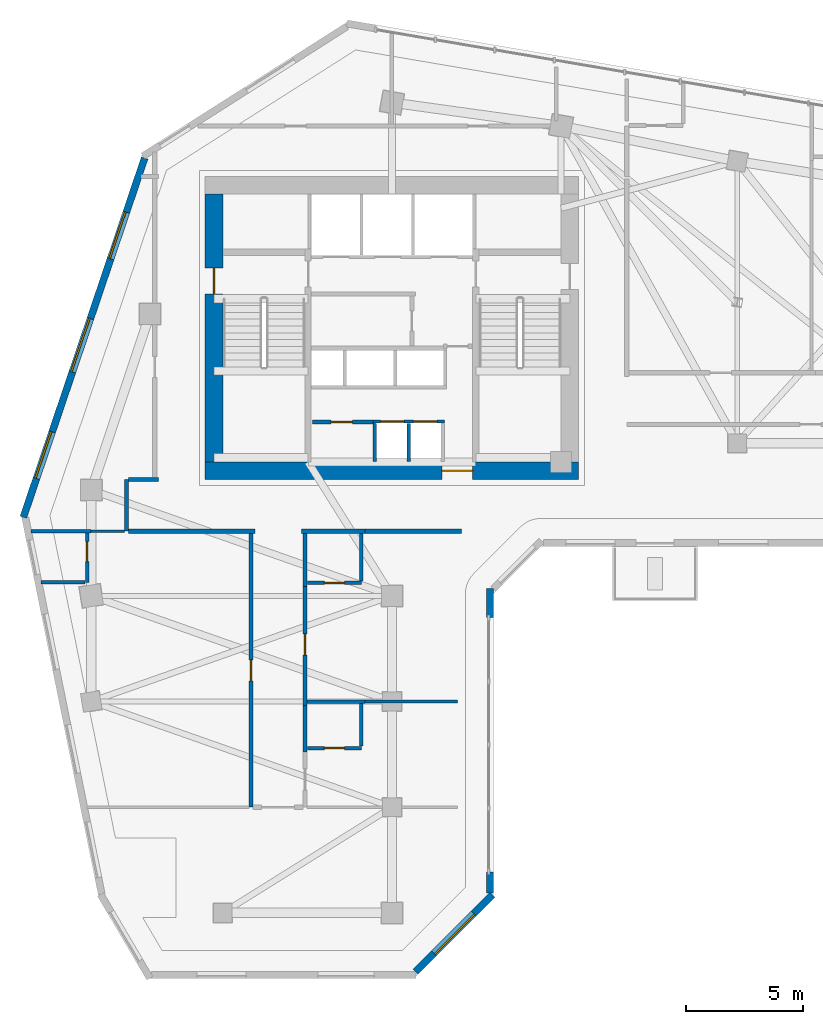
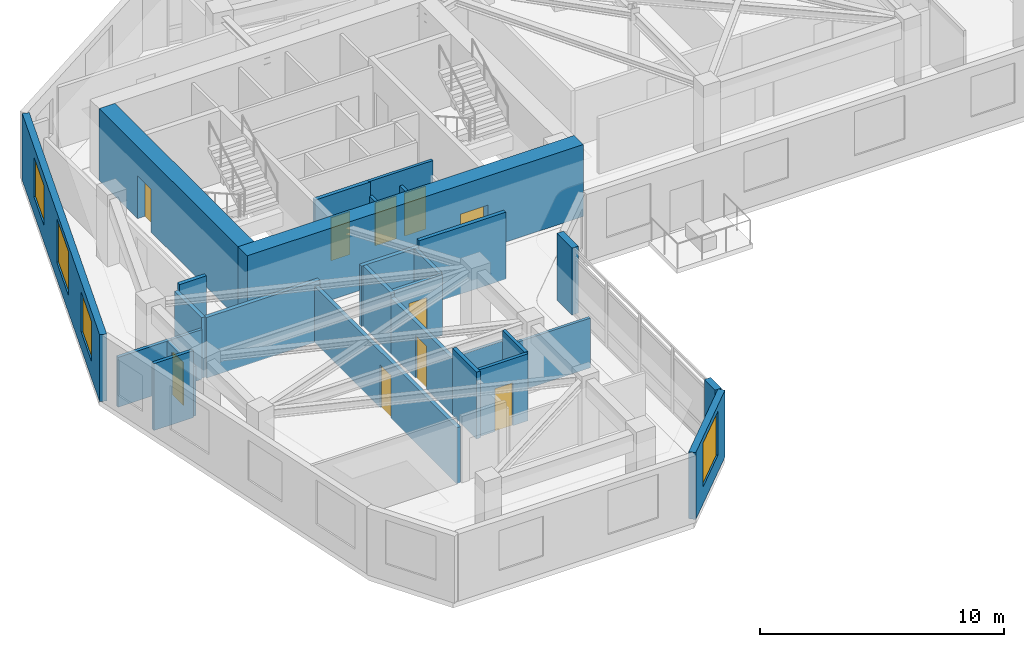
# One storey, part 5 of 11: 29 walls, 10 doors, 4 windows, 14 openings.
"""IFC4 building model written with IfcOpenShell, lengths in metres."""

from ifc_helpers import new_model, si_unit, direction, frame, frame_2d, origin, place, context, subcontext, project, spatial, rectangle, extrude, source, transform, mapped, material, layer, layer_set, type_object, element, fill, save


model = new_model("IFC4")

# Units and contexts
model_context = context("Model", 3, precision=1e-05, world=origin(), true_north=direction((0.0, 1.0)))
body_context = subcontext(model_context, "Body", "Model", "MODEL_VIEW")
ifc_project = project(units=[si_unit("LENGTHUNIT", "METRE"), si_unit("AREAUNIT", "SQUARE_METRE"), si_unit("VOLUMEUNIT", "CUBIC_METRE"), si_unit("PLANEANGLEUNIT", "RADIAN"), si_unit("MASSUNIT", "GRAM", prefix="KILO")], contexts=[model_context])

# Site, building, storey
site_placement = place(None, origin())
site = spatial("IfcSite", under=ifc_project, at=site_placement, CompositionType="ELEMENT")
building_placement = place(site_placement, origin())
building = spatial("IfcBuilding", under=site, at=building_placement, Name="Calvemar Wedge Station Tower", CompositionType="ELEMENT")
storey_placement = place(building_placement, frame((0.0, 0.0, 143.0)))
storey = spatial("IfcBuildingStorey", under=building, at=storey_placement, Name="L35", CompositionType="ELEMENT", Elevation=143.0)

# Wall, opening, door
ifc_material_1 = material(Name="Concrete C70", Category="concrete")
ifc_layer_1 = layer(ifc_material_1, 0.75)
ifc_layer_set_1 = layer_set([ifc_layer_1], Name="Concrete C70")
wall_type_1 = type_object("IfcWallType", Name="SW-CORE-750", PredefinedType="SHEAR", material=ifc_layer_set_1)
wall_1_placement = place(storey_placement, frame((15.85009765625, 33.824951171875, 0.0), z_axis=(0.0, 0.0, 1.0), x_axis=(1.0, 0.0, 0.0)))
wall_1 = element("IfcWall", 1, at=wall_1_placement, inside=storey, type_object=wall_type_1, Name="Storey L35 Core Shear Wall S", PredefinedType="SHEAR", context=body_context, shape_type="SweptSolid", body=[
    extrude(rectangle(XDim=15.89990234375, YDim=0.75, at=frame_2d((7.949951171875, 0.0))), origin(), (0.0, 0.0, 1.0), 3.60009765625),
])
shared_shape_1 = source(origin(), body_context, "Body", "SweptSolid", [
    extrude(rectangle(XDim=1.300048828125, YDim=2.14990234375, at=frame_2d((0.64990234375, 1.074951171875))), frame((0.0, 0.385009765625, 0.0), z_axis=(0.0, -1.0, 0.0), x_axis=(1.0, 0.0, 0.0)), (0.0, 0.0, 1.0), 0.77001953125),
])
opening_1_placement = place(wall_1_placement, frame((10.080078125, 0.0, 0.0)))
opening_1 = element("IfcOpeningElement", 2, at=opening_1_placement, cuts=wall_1, Name="Opening DD-130", PredefinedType="OPENING", context=body_context, shape_type="MappedRepresentation", body=[
    mapped(shared_shape_1, transform((0.0, 0.0, 0.0), scale=1.0)),
])
ifc_material_2 = material(Name="Double-leaf lift lobby fire door EI 60")
door_type_1 = type_object("IfcDoorType", Name="DR-DBL-1300", OperationType="DOUBLE_DOOR_SINGLE_SWING", PredefinedType="DOOR", material=ifc_material_2)
shared_shape_2 = source(origin(), body_context, "Body", "SweptSolid", [
    extrude(rectangle(XDim=1.300048828125, YDim=2.14990234375, at=frame_2d((0.64990234375, 1.074951171875))), frame((0.0, 0.02490234375, 0.0), z_axis=(0.0, -1.0, 0.0), x_axis=(1.0, 0.0, 0.0)), (0.0, 0.0, 1.0), 0.050048828125),
])
door_1_placement = place(opening_1_placement, origin())
door_1 = element("IfcDoor", 3, at=door_1_placement, inside=storey, type_object=door_type_1, Name="L35 Passenger Lift Lobby Door", OperationType="DOUBLE_DOOR_SINGLE_SWING", OverallHeight=2.14990234375, OverallWidth=1.300048828125, PredefinedType="DOOR", context=body_context, shape_type="MappedRepresentation", body=[
    mapped(shared_shape_2, transform((0.0, 0.0, 0.0), scale=1.0)),
])
fill(opening_1, door_1)

wall_2_placement = place(storey_placement, frame((16.22509765625, 34.199951171875, 0.0), z_axis=(0.0, 0.0, 1.0), x_axis=(0.0, 1.0, 0.0)))
wall_2 = element("IfcWall", 4, at=wall_2_placement, inside=storey, type_object=wall_type_1, Name="Storey L35 Core Shear Wall W", PredefinedType="SHEAR", context=body_context, shape_type="SweptSolid", body=[
    extrude(rectangle(XDim=11.400146484375, YDim=0.75, at=frame_2d((5.7001953125, 0.0))), origin(), (0.0, 0.0, 1.0), 3.60009765625),
])
shared_shape_3 = source(origin(), body_context, "Body", "SweptSolid", [
    extrude(rectangle(XDim=1.10009765625, YDim=2.14990234375, at=frame_2d((0.550048828125, 1.074951171875))), frame((0.0, 0.385009765625, 0.0), z_axis=(0.0, -1.0, 0.0), x_axis=(1.0, 0.0, 0.0)), (0.0, 0.0, 1.0), 0.77001953125),
])
opening_2_placement = place(wall_2_placement, frame((7.14990234375, 0.0, 0.0)))
opening_2 = element("IfcOpeningElement", 5, at=opening_2_placement, cuts=wall_2, Name="Opening FD-90", PredefinedType="OPENING", context=body_context, shape_type="MappedRepresentation", body=[
    mapped(shared_shape_3, transform((0.0, 0.0, 0.0), scale=1.0)),
])
ifc_material_3 = material(Name="Galvanized fire-rated steel door leaf P-90", Category="steel")
door_type_2 = type_object("IfcDoorType", Name="DR-FD90-1100", OperationType="NOTDEFINED", PredefinedType="DOOR", material=ifc_material_3)
shared_shape_4 = source(origin(), body_context, "Body", "SweptSolid", [
    extrude(rectangle(XDim=1.10009765625, YDim=2.14990234375, at=frame_2d((0.550048828125, 1.074951171875))), frame((0.0, 0.02490234375, 0.0), z_axis=(0.0, -1.0, 0.0), x_axis=(1.0, 0.0, 0.0)), (0.0, 0.0, 1.0), 0.050048828125),
])
door_2_placement = place(opening_2_placement, origin())
door_2 = element("IfcDoor", 6, at=door_2_placement, inside=storey, type_object=door_type_2, Name="L35 West Corridor to Exit Stair ST-C1 Door", OperationType="SINGLE_SWING_RIGHT", OverallHeight=2.14990234375, OverallWidth=1.10009765625, PredefinedType="DOOR", context=body_context, shape_type="MappedRepresentation", body=[
    mapped(shared_shape_4, transform((0.0, 0.0, 0.0), scale=1.0)),
])
fill(opening_2, door_2)

ifc_material_4 = material(Name="Double-stud fire-rated corridor partition")
ifc_layer_2 = layer(ifc_material_4, 0.179931640625)
ifc_layer_set_2 = layer_set([ifc_layer_2], Name="Double-stud fire-rated corridor partition")
wall_type_2 = type_object("IfcWallType", Name="W-CORR-180", PredefinedType="PARTITIONING", material=ifc_layer_set_2)
wall_3_placement = place(storey_placement, frame((20.419921875, 35.89990234375, 0.0), z_axis=(0.0, 0.0, 1.0), x_axis=(1.0, 0.0, 0.0)))
wall_3 = element("IfcWall", 7, at=wall_3_placement, inside=storey, type_object=wall_type_2, Name="Storey L35 Interior Partition WL-L35-004", PredefinedType="PARTITIONING", context=body_context, shape_type="SweptSolid", body=[
    extrude(rectangle(XDim=2.6201171875, YDim=0.179931640625, at=frame_2d((1.31005859375, 0.0))), origin(), (0.0, 0.0, 1.0), 3.35009765625),
])
shared_shape_5 = source(origin(), body_context, "Body", "SweptSolid", [
    extrude(rectangle(XDim=0.89990234375, YDim=2.14990234375, at=frame_2d((0.449951171875, 1.074951171875))), frame((0.0, 0.10009765625, 0.0), z_axis=(0.0, -1.0, 0.0), x_axis=(1.0, 0.0, 0.0)), (0.0, 0.0, 1.0), 0.199951171875),
])
opening_3_placement = place(wall_3_placement, frame((0.795654296875, 0.0, 0.0)))
opening_3 = element("IfcOpeningElement", 8, at=opening_3_placement, cuts=wall_3, Name="Opening FD-60", PredefinedType="OPENING", context=body_context, shape_type="MappedRepresentation", body=[
    mapped(shared_shape_5, transform((0.0, 0.0, 0.0), scale=1.0)),
])
ifc_material_5 = material(Name="Fire-rated acoustic timber-core entrance door EI 60", Category="wood")
door_type_3 = type_object("IfcDoorType", Name="DR-FD60-900", OperationType="NOTDEFINED", PredefinedType="DOOR", material=ifc_material_5)
shared_shape_6 = source(origin(), body_context, "Body", "SweptSolid", [
    extrude(rectangle(XDim=0.89990234375, YDim=2.14990234375, at=frame_2d((0.449951171875, 1.074951171875))), frame((0.0, 0.02490234375, 0.0), z_axis=(0.0, -1.0, 0.0), x_axis=(1.0, 0.0, 0.0)), (0.0, 0.0, 1.0), 0.050048828125),
])
door_3_placement = place(opening_3_placement, origin())
door_3 = element("IfcDoor", 9, at=door_3_placement, inside=storey, type_object=door_type_3, Name="L35 Housekeeping Store Door", OperationType="SINGLE_SWING_RIGHT", OverallHeight=2.14990234375, OverallWidth=0.89990234375, PredefinedType="DOOR", context=body_context, shape_type="MappedRepresentation", body=[
    mapped(shared_shape_6, transform((0.0, 0.0, 0.0), scale=1.0)),
])
fill(opening_3, door_3)

# Walls
wall_4_placement = place(storey_placement, frame((12.5, 31.25, 0.0), z_axis=(0.0, 0.0, 1.0), x_axis=(0.0, 1.0, 0.0)))
element("IfcWall", 10, at=wall_4_placement, inside=storey, type_object=wall_type_2, Name="Storey L35 Interior Partition WL-L35-005", PredefinedType="PARTITIONING", context=body_context, shape_type="SweptSolid", body=[
    extrude(rectangle(XDim=2.199951171875, YDim=0.179931640625, at=frame_2d((1.10009765625, 0.0))), origin(), (0.0, 0.0, 1.0), 3.033935546875),
])
wall_5_placement = place(storey_placement, frame((12.593994140625, 33.449951171875, 0.0), z_axis=(0.0, 0.0, 1.0), x_axis=(1.0, 0.0, 0.0)))
element("IfcWall", 11, at=wall_5_placement, inside=storey, type_object=wall_type_2, Name="Storey L35 Interior Partition WL-L35-006", PredefinedType="PARTITIONING", context=body_context, shape_type="SweptSolid", body=[
    extrude(rectangle(XDim=1.26611328125, YDim=0.179931640625, at=frame_2d((0.633056640625, 0.0))), origin(), (0.0, 0.0, 1.0), 3.35009765625),
])
wall_6_placement = place(storey_placement, frame((17.9599609375, 31.25, 0.0), z_axis=(0.0, 0.0, 1.0), x_axis=(-1.0, 0.0, 0.0)))
element("IfcWall", 12, at=wall_6_placement, inside=storey, type_object=wall_type_2, Name="Storey L35 Interior Partition WL-L35-007", PredefinedType="PARTITIONING", context=body_context, shape_type="SweptSolid", body=[
    extrude(rectangle(XDim=5.365966796875, YDim=0.179931640625, at=frame_2d((2.68310546875, 0.0))), origin(), (0.0, 0.0, 1.0), 3.033935546875),
])
wall_7_placement = place(storey_placement, frame((22.659912109375, 31.25, 0.0), z_axis=(0.0, 0.0, 1.0), x_axis=(-1.0, 0.0, 0.0)))
element("IfcWall", 13, at=wall_7_placement, inside=storey, type_object=wall_type_2, Name="Storey L35 Interior Partition WL-L35-008", PredefinedType="PARTITIONING", context=body_context, shape_type="SweptSolid", body=[
    extrude(rectangle(XDim=2.719970703125, YDim=0.179931640625, at=frame_2d((1.35986328125, 0.0))), origin(), (0.0, 0.0, 1.0), 3.033935546875),
])
wall_8_placement = place(storey_placement, frame((26.760009765625, 31.25, 0.0), z_axis=(0.0, 0.0, 1.0), x_axis=(-1.0, 0.0, 0.0)))
element("IfcWall", 14, at=wall_8_placement, inside=storey, type_object=wall_type_2, Name="Storey L35 Interior Partition WL-L35-009", PredefinedType="PARTITIONING", context=body_context, shape_type="SweptSolid", body=[
    extrude(rectangle(XDim=4.097900390625, YDim=0.179931640625, at=frame_2d((2.048828125, 0.0))), origin(), (0.0, 0.0, 1.0), 3.35009765625),
])

# Wall, opening, door
wall_9_placement = place(storey_placement, frame((17.800048828125, 19.5, 0.0), z_axis=(0.0, 0.0, 1.0), x_axis=(0.0, 1.0, 0.0)))
wall_9 = element("IfcWall", 15, at=wall_9_placement, inside=storey, type_object=wall_type_2, Name="Storey L35 Interior Partition WL-L35-033", PredefinedType="PARTITIONING", context=body_context, shape_type="SweptSolid", body=[
    extrude(rectangle(XDim=11.656005859375, YDim=0.179931640625, at=frame_2d((5.828125, 0.0))), origin(), (0.0, 0.0, 1.0), 2.802978515625),
])
opening_4_placement = place(wall_9_placement, frame((5.3779296875, 0.0, 0.0)))
opening_4 = element("IfcOpeningElement", 16, at=opening_4_placement, cuts=wall_9, Name="Opening FD-60", PredefinedType="OPENING", context=body_context, shape_type="MappedRepresentation", body=[
    mapped(shared_shape_5, transform((0.0, 0.0, 0.0), scale=1.0)),
])
door_4_placement = place(opening_4_placement, origin())
door_4 = element("IfcDoor", 17, at=door_4_placement, inside=storey, type_object=door_type_3, Name="L35 Hotel Suite Door", OperationType="SINGLE_SWING_RIGHT", OverallHeight=2.14990234375, OverallWidth=0.89990234375, PredefinedType="DOOR", context=body_context, shape_type="MappedRepresentation", body=[
    mapped(shared_shape_6, transform((0.0, 0.0, 0.0), scale=1.0)),
])
fill(opening_4, door_4)

# Wall
wall_10_placement = place(storey_placement, frame((20.10009765625, 31.156005859375, 0.0), z_axis=(0.0, 0.0, 1.0), x_axis=(0.0, -1.0, 0.0)))
element("IfcWall", 18, at=wall_10_placement, inside=storey, type_object=wall_type_2, Name="Storey L35 Interior Partition WL-L35-034", PredefinedType="PARTITIONING", context=body_context, shape_type="SweptSolid", body=[
    extrude(rectangle(XDim=2.26611328125, YDim=0.179931640625, at=frame_2d((1.133056640625, 0.0))), origin(), (0.0, 0.0, 1.0), 3.033935546875),
])

# Wall, opening, door
wall_11_placement = place(storey_placement, frame((20.10009765625, 28.887939453125, 0.0), z_axis=(0.0, 0.0, 1.0), x_axis=(0.0, -1.0, 0.0)))
wall_11 = element("IfcWall", 19, at=wall_11_placement, inside=storey, type_object=wall_type_2, Name="Storey L35 Interior Partition WL-L35-035", PredefinedType="PARTITIONING", context=body_context, shape_type="SweptSolid", body=[
    extrude(rectangle(XDim=5.0478515625, YDim=0.179931640625, at=frame_2d((2.52392578125, 0.0))), origin(), (0.0, 0.0, 1.0), 2.802978515625),
])
opening_5_placement = place(wall_11_placement, frame((2.01220703125, 0.0, 0.0)))
opening_5 = element("IfcOpeningElement", 20, at=opening_5_placement, cuts=wall_11, Name="Opening FD-60", PredefinedType="OPENING", context=body_context, shape_type="MappedRepresentation", body=[
    mapped(shared_shape_5, transform((0.0, 0.0, 0.0), scale=1.0)),
])
door_5_placement = place(opening_5_placement, origin())
door_5 = element("IfcDoor", 21, at=door_5_placement, inside=storey, type_object=door_type_3, Name="L35 Hotel Guest Room Door", OperationType="SINGLE_SWING_RIGHT", OverallHeight=2.14990234375, OverallWidth=0.89990234375, PredefinedType="DOOR", context=body_context, shape_type="MappedRepresentation", body=[
    mapped(shared_shape_6, transform((0.0, 0.0, 0.0), scale=1.0)),
])
fill(opening_5, door_5)

# Wall
wall_12_placement = place(storey_placement, frame((20.10009765625, 23.837890625, 0.0), z_axis=(0.0, 0.0, 1.0), x_axis=(0.0, -1.0, 0.0)))
element("IfcWall", 22, at=wall_12_placement, inside=storey, type_object=wall_type_2, Name="Storey L35 Interior Partition WL-L35-036", PredefinedType="PARTITIONING", context=body_context, shape_type="SweptSolid", body=[
    extrude(rectangle(XDim=1.977783203125, YDim=0.179931640625, at=frame_2d((0.98876953125, 0.0))), origin(), (0.0, 0.0, 1.0), 3.35009765625),
])

# Wall, opening, window
ifc_material_6 = material(Name="Precast concrete C45", Category="concrete")
ifc_layer_3 = layer(ifc_material_6, 0.300048828125)
ifc_layer_set_3 = layer_set([ifc_layer_3], Name="Precast concrete C45")
wall_type_3 = type_object("IfcWallType", Name="W-EXT-GFRC-300", PredefinedType="SOLIDWALL", material=ifc_layer_set_3)
wall_13_placement = place(storey_placement, frame((24.803955078125, 12.488037109375, 0.0), z_axis=(0.0, 0.0, 1.0), x_axis=(0.70708046583, 0.707133095564, 0.0)))
wall_13 = element("IfcWall", 23, at=wall_13_placement, inside=storey, type_object=wall_type_3, Name="Storey L35 Bronze GFRC Exterior Wall 3", PredefinedType="SOLIDWALL", context=body_context, shape_type="SweptSolid", body=[
    extrude(rectangle(XDim=4.638916015625, YDim=0.300048828125, at=frame_2d((2.3193359375, 0.0))), origin(), (0.0, 0.0, 1.0), 3.35009765625),
])
shared_shape_7 = source(origin(), body_context, "Body", "SweptSolid", [
    extrude(rectangle(XDim=2.39990234375, YDim=2.199951171875, at=frame_2d((1.199951171875, 1.10009765625))), frame((0.0, 0.16015625, 0.0), z_axis=(0.0, -1.0, 0.0), x_axis=(1.0, 0.0, 0.0)), (0.0, 0.0, 1.0), 0.320068359375),
])
opening_6_placement = place(wall_13_placement, frame((1.118896484375, 0.0, 0.85009765625)))
opening_6 = element("IfcOpeningElement", 24, at=opening_6_placement, cuts=wall_13, Name="Opening W1", PredefinedType="OPENING", context=body_context, shape_type="MappedRepresentation", body=[
    mapped(shared_shape_7, transform((0.0, 0.0, 0.0), scale=1.0)),
])
ifc_material_7 = material(Name="Low-E laminated insulated glass", Category="glass")
window_type_1 = type_object("IfcWindowType", Name="WIN-EXT-1", PartitioningType="SINGLE_PANEL", PredefinedType="WINDOW", material=ifc_material_7)
shared_shape_8 = source(origin(), body_context, "Body", "SweptSolid", [
    extrude(rectangle(XDim=2.39990234375, YDim=2.199951171875, at=frame_2d((1.199951171875, 1.10009765625))), frame((0.0, -0.014892578125, 0.0), z_axis=(0.0, -1.0, 0.0), x_axis=(1.0, 0.0, 0.0)), (0.0, 0.0, 1.0), 0.06005859375),
])
window_1_placement = place(opening_6_placement, origin())
window_1 = element("IfcWindow", 25, at=window_1_placement, inside=storey, type_object=window_type_1, Name="Storey L35 Recessed Window 3.1", OverallHeight=2.199951171875, OverallWidth=2.39990234375, PartitioningType="SINGLE_PANEL", PredefinedType="WINDOW", context=body_context, shape_type="MappedRepresentation", body=[
    mapped(shared_shape_8, transform((0.0, 0.0, 0.0), scale=1.0)),
])
fill(opening_6, window_1)

# Walls
wall_14_placement = place(storey_placement, frame((27.97802734375, 15.857421875, 0.0), z_axis=(0.0, 0.0, 1.0), x_axis=(0.0, 1.0, 0.0)))
element("IfcWall", 26, at=wall_14_placement, inside=storey, type_object=wall_type_3, Name="Storey L35 Bronze GFRC Corner Pier 4A", PredefinedType="SOLIDWALL", context=body_context, shape_type="SweptSolid", body=[
    extrude(rectangle(XDim=0.882080078125, YDim=0.300048828125, at=frame_2d((0.44091796875, 0.0))), origin(), (0.0, 0.0, 1.0), 3.35009765625),
])
wall_15_placement = place(storey_placement, frame((27.97802734375, 27.57666015625, 0.0), z_axis=(0.0, 0.0, 1.0), x_axis=(0.0, 1.0, 0.0)))
element("IfcWall", 27, at=wall_15_placement, inside=storey, type_object=wall_type_3, Name="Storey L35 Bronze GFRC Corner Pier 4B", PredefinedType="SOLIDWALL", context=body_context, shape_type="SweptSolid", body=[
    extrude(rectangle(XDim=1.2275390625, YDim=0.300048828125, at=frame_2d((0.61376953125, 0.0))), origin(), (0.0, 0.0, 1.0), 3.35009765625),
])

# Wall, openings, windows
wall_16_placement = place(storey_placement, frame((13.2685546875, 47.1337890625, 0.0), z_axis=(0.0, 0.0, 1.0), x_axis=(-0.319929773322, -0.947441259468, 0.0)))
wall_16 = element("IfcWall", 28, at=wall_16_placement, inside=storey, type_object=wall_type_3, Name="Storey L35 Bronze GFRC Exterior Wall 12", PredefinedType="SOLIDWALL", context=body_context, shape_type="SweptSolid", body=[
    extrude(rectangle(XDim=16.133544921875, YDim=0.300048828125, at=frame_2d((8.06689453125, 0.0))), origin(), (0.0, 0.0, 1.0), 3.35009765625),
])
shared_shape_9 = source(origin(), body_context, "Body", "SweptSolid", [
    extrude(rectangle(XDim=2.10009765625, YDim=2.0, at=frame_2d((1.050048828125, 1.0))), frame((0.0, 0.16015625, 0.0), z_axis=(0.0, -1.0, 0.0), x_axis=(1.0, 0.0, 0.0)), (0.0, 0.0, 1.0), 0.320068359375),
])
opening_7_placement = place(wall_16_placement, frame((2.426025390625, 0.0, 0.85009765625)))
opening_7 = element("IfcOpeningElement", 29, at=opening_7_placement, cuts=wall_16, Name="Opening W4", PredefinedType="OPENING", context=body_context, shape_type="MappedRepresentation", body=[
    mapped(shared_shape_9, transform((0.0, 0.0, 0.0), scale=1.0)),
])
opening_8_placement = place(wall_16_placement, frame((7.2109375, 0.0, 0.85009765625)))
opening_8 = element("IfcOpeningElement", 30, at=opening_8_placement, cuts=wall_16, Name="Opening W1", PredefinedType="OPENING", context=body_context, shape_type="MappedRepresentation", body=[
    mapped(shared_shape_7, transform((0.0, 0.0, 0.0), scale=1.0)),
])
opening_9_placement = place(wall_16_placement, frame((12.2958984375, 0.0, 0.85009765625)))
opening_9 = element("IfcOpeningElement", 31, at=opening_9_placement, cuts=wall_16, Name="Opening W4", PredefinedType="OPENING", context=body_context, shape_type="MappedRepresentation", body=[
    mapped(shared_shape_9, transform((0.0, 0.0, 0.0), scale=1.0)),
])
window_type_2 = type_object("IfcWindowType", Name="WIN-EXT-4", PartitioningType="SINGLE_PANEL", PredefinedType="WINDOW", material=ifc_material_7)
shared_shape_10 = source(origin(), body_context, "Body", "SweptSolid", [
    extrude(rectangle(XDim=2.10009765625, YDim=2.0, at=frame_2d((1.050048828125, 1.0))), frame((0.0, -0.014892578125, 0.0), z_axis=(0.0, -1.0, 0.0), x_axis=(1.0, 0.0, 0.0)), (0.0, 0.0, 1.0), 0.06005859375),
])
window_2_placement = place(opening_7_placement, origin())
window_2 = element("IfcWindow", 32, at=window_2_placement, inside=storey, type_object=window_type_2, Name="Storey L35 Recessed Window 12.1", OverallHeight=2.0, OverallWidth=2.10009765625, PartitioningType="SINGLE_PANEL", PredefinedType="WINDOW", context=body_context, shape_type="MappedRepresentation", body=[
    mapped(shared_shape_10, transform((0.0, 0.0, 0.0), scale=1.0)),
])
fill(opening_7, window_2)
window_3_placement = place(opening_9_placement, origin())
window_3 = element("IfcWindow", 33, at=window_3_placement, inside=storey, type_object=window_type_2, Name="Storey L35 Recessed Window 12.3", OverallHeight=2.0, OverallWidth=2.10009765625, PartitioningType="SINGLE_PANEL", PredefinedType="WINDOW", context=body_context, shape_type="MappedRepresentation", body=[
    mapped(shared_shape_10, transform((0.0, 0.0, 0.0), scale=1.0)),
])
fill(opening_9, window_3)
window_4_placement = place(opening_8_placement, origin())
window_4 = element("IfcWindow", 34, at=window_4_placement, inside=storey, type_object=window_type_1, Name="Storey L35 Recessed Window 12.2", OverallHeight=2.199951171875, OverallWidth=2.39990234375, PartitioningType="SINGLE_PANEL", PredefinedType="WINDOW", context=body_context, shape_type="MappedRepresentation", body=[
    mapped(shared_shape_8, transform((0.0, 0.0, 0.0), scale=1.0)),
])
fill(opening_8, window_4)

# Wall, openings, doors
ifc_material_8 = material(Name="Reinforced concrete blockwork lift shaft wall", Category="masonry")
ifc_layer_4 = layer(ifc_material_8, 0.139892578125)
ifc_layer_set_4 = layer_set([ifc_layer_4], Name="Reinforced concrete blockwork lift shaft wall")
wall_type_4 = type_object("IfcWallType", Name="W-LIFT-160", PredefinedType="SOLIDWALL", material=ifc_layer_set_4)
wall_17_placement = place(storey_placement, frame((23.0, 35.919921875, 0.0), z_axis=(0.0, 0.0, 1.0), x_axis=(1.0, 0.0, 0.0)))
wall_17 = element("IfcWall", 35, at=wall_17_placement, inside=storey, type_object=wall_type_4, Name="Storey L35 South Passenger Lift Bank Front Wall", PredefinedType="SOLIDWALL", context=body_context, shape_type="SweptSolid", body=[
    extrude(rectangle(XDim=3.030029296875, YDim=0.139892578125, at=frame_2d((1.51513671875, 0.0))), origin(), (0.0, 0.0, 1.0), 3.35009765625),
])
shared_shape_11 = source(origin(), body_context, "Body", "SweptSolid", [
    extrude(rectangle(XDim=1.0, YDim=2.14990234375, at=frame_2d((0.5, 1.074951171875))), frame((0.0, 0.080078125, 0.0), z_axis=(0.0, -1.0, 0.0), x_axis=(1.0, 0.0, 0.0)), (0.0, 0.0, 1.0), 0.159912109375),
])
opening_10_placement = place(wall_17_placement, frame((0.320068359375, 0.0, 0.0)))
opening_10 = element("IfcOpeningElement", 36, at=opening_10_placement, cuts=wall_17, Name="Opening LD-PAX", PredefinedType="OPENING", context=body_context, shape_type="MappedRepresentation", body=[
    mapped(shared_shape_11, transform((0.0, 0.0, 0.0), scale=1.0)),
])
opening_11_placement = place(wall_17_placement, frame((1.7099609375, 0.0, 0.0)))
opening_11 = element("IfcOpeningElement", 37, at=opening_11_placement, cuts=wall_17, Name="Opening LD-PAX", PredefinedType="OPENING", context=body_context, shape_type="MappedRepresentation", body=[
    mapped(shared_shape_11, transform((0.0, 0.0, 0.0), scale=1.0)),
])
ifc_material_9 = material(Name="Anodised bronze passenger lift sliding landing door")
door_type_4 = type_object("IfcDoorType", Name="DR-LD-PAX-1000", OperationType="SLIDING_TO_LEFT", PredefinedType="DOOR", material=ifc_material_9)
shared_shape_12 = source(origin(), body_context, "Body", "SweptSolid", [
    extrude(rectangle(XDim=1.0, YDim=2.14990234375, at=frame_2d((0.5, 1.074951171875))), frame((0.0, 0.02490234375, 0.0), z_axis=(0.0, -1.0, 0.0), x_axis=(1.0, 0.0, 0.0)), (0.0, 0.0, 1.0), 0.050048828125),
])
door_6_placement = place(opening_10_placement, origin())
door_6 = element("IfcDoor", 38, at=door_6_placement, inside=storey, type_object=door_type_4, Name="L35 Lift HL-01 Sliding Landing Door", OperationType="SLIDING_TO_LEFT", OverallHeight=2.14990234375, OverallWidth=1.0, PredefinedType="DOOR", context=body_context, shape_type="MappedRepresentation", body=[
    mapped(shared_shape_12, transform((0.0, 0.0, 0.0), scale=1.0)),
])
fill(opening_10, door_6)
door_7_placement = place(opening_11_placement, origin())
door_7 = element("IfcDoor", 39, at=door_7_placement, inside=storey, type_object=door_type_4, Name="L35 Lift HL-02 Sliding Landing Door", OperationType="SLIDING_TO_RIGHT", OverallHeight=2.14990234375, OverallWidth=1.0, PredefinedType="DOOR", context=body_context, shape_type="MappedRepresentation", body=[
    mapped(shared_shape_12, transform((0.0, 0.0, 0.0), scale=1.0)),
])
fill(opening_11, door_7)

# Walls
for number, where, z_axis, x_axis, name in (
    (40, (23.070068359375, 34.219970703125, 0.0), (0.0, 0.0, 1.0), (0.0, 1.0, 0.0), "Storey L35 South Passenger Lift Shaft Wall W"),
    (41, (24.514892578125, 34.219970703125, 0.0), (0.0, 0.0, 1.0), (0.0, 1.0, 0.0), "Storey L35 South Passenger Lift Shaft Wall D1"),
):
    element("IfcWall", number, at=place(storey_placement, frame(where, z_axis=z_axis, x_axis=x_axis)), inside=storey, type_object=wall_type_4, Name=name, PredefinedType="SOLIDWALL", context=body_context, shape_type="SweptSolid", body=[
        extrude(rectangle(XDim=1.6201171875, YDim=0.139892578125, at=frame_2d((0.81005859375, 0.0))), origin(), (0.0, 0.0, 1.0), 2.64208984375),
    ])
ifc_material_10 = material(Name="Insulated acoustic gypsum stud partition")
ifc_layer_5 = layer(ifc_material_10, 0.125)
ifc_layer_set_5 = layer_set([ifc_layer_5], Name="Insulated acoustic gypsum stud partition")
wall_type_5 = type_object("IfcWallType", Name="W-PART-125", PredefinedType="PARTITIONING", material=ifc_layer_set_5)
wall_18_placement = place(storey_placement, frame((12.406005859375, 31.25, 0.0), z_axis=(0.0, 0.0, 1.0), x_axis=(-1.0, 0.0, 0.0)))
element("IfcWall", 42, at=wall_18_placement, inside=storey, type_object=wall_type_5, Name="Storey L35 Interior Partition WL-L35-017", PredefinedType="PARTITIONING", context=body_context, shape_type="SweptSolid", body=[
    extrude(rectangle(XDim=1.425537109375, YDim=0.125, at=frame_2d((0.712890625, 0.0))), origin(), (0.0, 0.0, 1.0), 2.491943359375),
])
wall_19_placement = place(storey_placement, frame((26.60009765625, 24.0, 0.0), z_axis=(0.0, 0.0, 1.0), x_axis=(-1.0, 0.0, 0.0)))
element("IfcWall", 43, at=wall_19_placement, inside=storey, type_object=wall_type_5, Name="Storey L35 Interior Partition WL-L35-045", PredefinedType="PARTITIONING", context=body_context, shape_type="SweptSolid", body=[
    extrude(rectangle(XDim=3.93798828125, YDim=0.125, at=frame_2d((1.968994140625, 0.0))), origin(), (0.0, 0.0, 1.0), 2.491943359375),
])
ifc_material_11 = material(Name="Moisture-resistant acoustic bathroom partition")
ifc_layer_6 = layer(ifc_material_11, 0.14990234375)
ifc_layer_set_6 = layer_set([ifc_layer_6], Name="Moisture-resistant acoustic bathroom partition")
wall_type_6 = type_object("IfcWallType", Name="W-WET-150", PredefinedType="PARTITIONING", material=ifc_layer_set_6)
wall_20_placement = place(storey_placement, frame((10.978515625, 31.25, 0.0), z_axis=(0.0, 0.0, 1.0), x_axis=(-1.0, 0.0, 0.0)))
element("IfcWall", 44, at=wall_20_placement, inside=storey, type_object=wall_type_6, Name="Storey L35 Interior Partition WL-L35-016", PredefinedType="PARTITIONING", context=body_context, shape_type="SweptSolid", body=[
    extrude(rectangle(XDim=2.555908203125, YDim=0.14990234375, at=frame_2d((1.27783203125, 0.0))), origin(), (0.0, 0.0, 1.0), 2.491943359375),
])

# Wall, opening, door
wall_21_placement = place(storey_placement, frame((10.818603515625, 31.1708984375, 0.0), z_axis=(0.0, 0.0, 1.0), x_axis=(0.0, -1.0, 0.0)))
wall_21 = element("IfcWall", 45, at=wall_21_placement, inside=storey, type_object=wall_type_6, Name="Storey L35 Interior Partition WL-L35-039", PredefinedType="PARTITIONING", context=body_context, shape_type="SweptSolid", body=[
    extrude(rectangle(XDim=2.100830078125, YDim=0.14990234375, at=frame_2d((1.05029296875, 0.0))), origin(), (0.0, 0.0, 1.0), 2.491943359375),
])
shared_shape_13 = source(origin(), body_context, "Body", "SweptSolid", [
    extrude(rectangle(XDim=0.85009765625, YDim=2.14990234375, at=frame_2d((0.425048828125, 1.074951171875))), frame((0.0, 0.0849609375, 0.0), z_axis=(0.0, -1.0, 0.0), x_axis=(1.0, 0.0, 0.0)), (0.0, 0.0, 1.0), 0.169921875),
])
opening_12_placement = place(wall_21_placement, frame((0.366455078125, 0.0, 0.0)))
opening_12 = element("IfcOpeningElement", 46, at=opening_12_placement, cuts=wall_21, Name="Opening D-02", PredefinedType="OPENING", context=body_context, shape_type="MappedRepresentation", body=[
    mapped(shared_shape_13, transform((0.0, 0.0, 0.0), scale=1.0)),
])
ifc_material_12 = material(Name="Moisture-sealed bathroom hardwood swing door", Category="wood")
door_type_5 = type_object("IfcDoorType", Name="DR-WET-850", OperationType="NOTDEFINED", PredefinedType="DOOR", material=ifc_material_12)
shared_shape_14 = source(origin(), body_context, "Body", "SweptSolid", [
    extrude(rectangle(XDim=0.85009765625, YDim=2.14990234375, at=frame_2d((0.425048828125, 1.074951171875))), frame((0.0, 0.02490234375, 0.0), z_axis=(0.0, -1.0, 0.0), x_axis=(1.0, 0.0, 0.0)), (0.0, 0.0, 1.0), 0.050048828125),
])
door_8_placement = place(opening_12_placement, origin())
door_8 = element("IfcDoor", 47, at=door_8_placement, inside=storey, type_object=door_type_5, Name="L35 En-Suite Bathroom Door", OperationType="SINGLE_SWING_LEFT", OverallHeight=2.14990234375, OverallWidth=0.85009765625, PredefinedType="DOOR", context=body_context, shape_type="MappedRepresentation", body=[
    mapped(shared_shape_14, transform((0.0, 0.0, 0.0), scale=1.0)),
])
fill(opening_12, door_8)

# Wall
wall_22_placement = place(storey_placement, frame((10.739501953125, 29.070068359375, 0.0), z_axis=(0.0, 0.0, 1.0), x_axis=(-1.0, 0.0, 0.0)))
element("IfcWall", 48, at=wall_22_placement, inside=storey, type_object=wall_type_6, Name="Storey L35 Interior Partition WL-L35-040", PredefinedType="PARTITIONING", context=body_context, shape_type="SweptSolid", body=[
    extrude(rectangle(XDim=1.87451171875, YDim=0.14990234375, at=frame_2d((0.937255859375, 0.0))), origin(), (0.0, 0.0, 1.0), 3.35009765625),
])

# Wall, opening, door
wall_23_placement = place(storey_placement, frame((22.5, 29.050048828125, 0.0), z_axis=(0.0, 0.0, 1.0), x_axis=(-1.0, 0.0, 0.0)))
wall_23 = element("IfcWall", 49, at=wall_23_placement, inside=storey, type_object=wall_type_6, Name="Storey L35 Interior Partition WL-L35-042", PredefinedType="PARTITIONING", context=body_context, shape_type="SweptSolid", body=[
    extrude(rectangle(XDim=2.305908203125, YDim=0.14990234375, at=frame_2d((1.15283203125, 0.0))), origin(), (0.0, 0.0, 1.0), 3.033935546875),
])
opening_13_placement = place(wall_23_placement, frame((0.72802734375, 0.0, 0.0)))
opening_13 = element("IfcOpeningElement", 50, at=opening_13_placement, cuts=wall_23, Name="Opening D-02", PredefinedType="OPENING", context=body_context, shape_type="MappedRepresentation", body=[
    mapped(shared_shape_13, transform((0.0, 0.0, 0.0), scale=1.0)),
])
door_9_placement = place(opening_13_placement, origin())
door_9 = element("IfcDoor", 51, at=door_9_placement, inside=storey, type_object=door_type_5, Name="L35 En-Suite Bathroom Door", OperationType="SINGLE_SWING_LEFT", OverallHeight=2.14990234375, OverallWidth=0.85009765625, PredefinedType="DOOR", context=body_context, shape_type="MappedRepresentation", body=[
    mapped(shared_shape_14, transform((0.0, 0.0, 0.0), scale=1.0)),
])
fill(opening_13, door_9)

# Walls
wall_24_placement = place(storey_placement, frame((22.5, 31.156005859375, 0.0), z_axis=(0.0, 0.0, 1.0), x_axis=(0.0, -1.0, 0.0)))
element("IfcWall", 52, at=wall_24_placement, inside=storey, type_object=wall_type_6, Name="Storey L35 Interior Partition WL-L35-043", PredefinedType="PARTITIONING", context=body_context, shape_type="SweptSolid", body=[
    extrude(rectangle(XDim=2.027099609375, YDim=0.14990234375, at=frame_2d((1.013671875, 0.0))), origin(), (0.0, 0.0, 1.0), 3.033935546875),
])
wall_25_placement = place(storey_placement, frame((22.659912109375, 24.0, 0.0), z_axis=(0.0, 0.0, 1.0), x_axis=(-1.0, 0.0, 0.0)))
element("IfcWall", 53, at=wall_25_placement, inside=storey, type_object=wall_type_6, Name="Storey L35 Interior Partition WL-L35-044", PredefinedType="PARTITIONING", context=body_context, shape_type="SweptSolid", body=[
    extrude(rectangle(XDim=2.4658203125, YDim=0.14990234375, at=frame_2d((1.23291015625, 0.0))), origin(), (0.0, 0.0, 1.0), 2.802978515625),
])

# Wall, opening, door
wall_26_placement = place(storey_placement, frame((22.5, 22.02001953125, 0.0), z_axis=(0.0, 0.0, 1.0), x_axis=(-1.0, 0.0, 0.0)))
wall_26 = element("IfcWall", 54, at=wall_26_placement, inside=storey, type_object=wall_type_6, Name="Storey L35 Interior Partition WL-L35-046", PredefinedType="PARTITIONING", context=body_context, shape_type="SweptSolid", body=[
    extrude(rectangle(XDim=2.305908203125, YDim=0.14990234375, at=frame_2d((1.15283203125, 0.0))), origin(), (0.0, 0.0, 1.0), 3.35009765625),
])
opening_14_placement = place(wall_26_placement, frame((0.72802734375, 0.0, 0.0)))
opening_14 = element("IfcOpeningElement", 55, at=opening_14_placement, cuts=wall_26, Name="Opening D-02", PredefinedType="OPENING", context=body_context, shape_type="MappedRepresentation", body=[
    mapped(shared_shape_13, transform((0.0, 0.0, 0.0), scale=1.0)),
])
door_10_placement = place(opening_14_placement, origin())
door_10 = element("IfcDoor", 56, at=door_10_placement, inside=storey, type_object=door_type_5, Name="L35 En-Suite Bathroom Door", OperationType="SINGLE_SWING_LEFT", OverallHeight=2.14990234375, OverallWidth=0.85009765625, PredefinedType="DOOR", context=body_context, shape_type="MappedRepresentation", body=[
    mapped(shared_shape_14, transform((0.0, 0.0, 0.0), scale=1.0)),
])
fill(opening_14, door_10)

# Wall
wall_27_placement = place(storey_placement, frame((22.5, 23.9208984375, 0.0), z_axis=(0.0, 0.0, 1.0), x_axis=(0.0, -1.0, 0.0)))
element("IfcWall", 57, at=wall_27_placement, inside=storey, type_object=wall_type_6, Name="Storey L35 Interior Partition WL-L35-047", PredefinedType="PARTITIONING", context=body_context, shape_type="SweptSolid", body=[
    extrude(rectangle(XDim=1.82177734375, YDim=0.14990234375, at=frame_2d((0.910888671875, 0.0))), origin(), (0.0, 0.0, 1.0), 3.35009765625),
])

save(model, "model.ifc")
